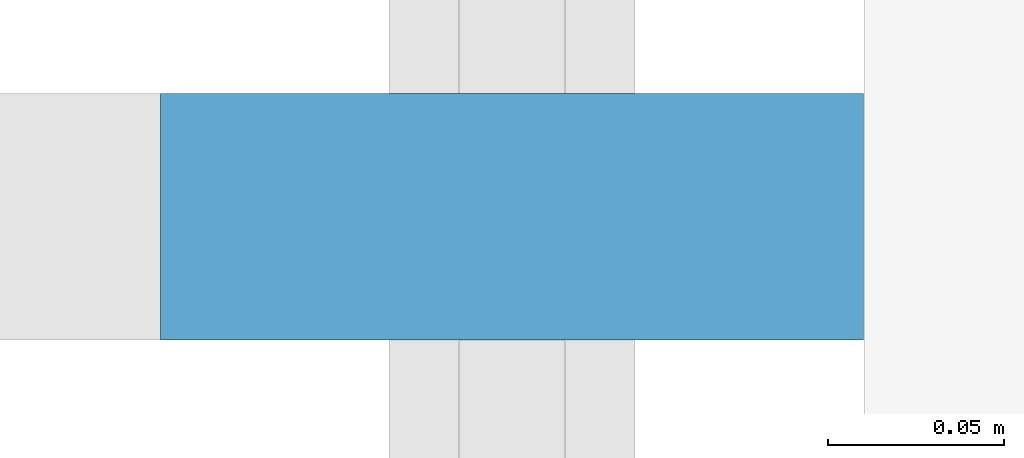
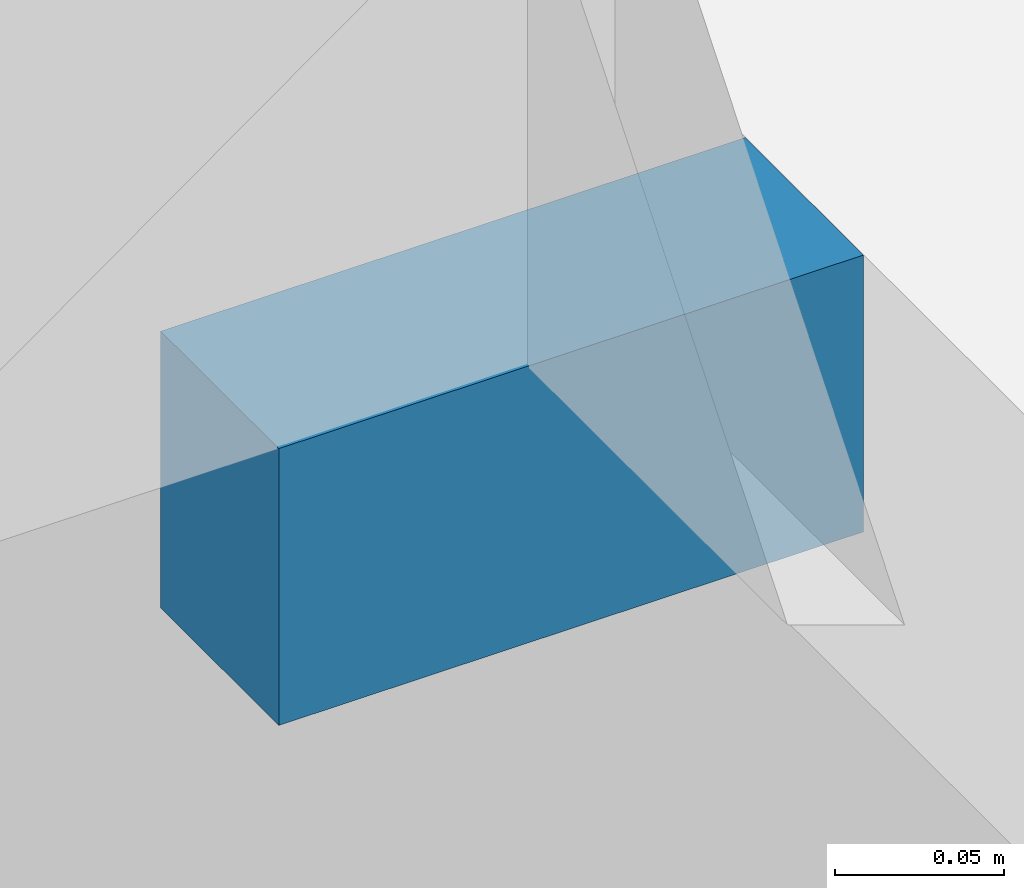
# One storey, part 12 of 16: 1 discrete accessory.
"""IFC4 building model written with IfcOpenShell, lengths in metres."""

from ifc_helpers import new_model, si_unit, direction, frame, origin, origin_2d, place, context, subcontext, project, spatial, rectangle, extrude, element, save


model = new_model("IFC4")

# Units and contexts
model_context = context("Model", 3, precision=1e-05, world=origin(), true_north=direction((0.0, 1.0)))
body_context = subcontext(model_context, "Body", "Model", "MODEL_VIEW")
ifc_project = project(units=[si_unit("LENGTHUNIT", "METRE"), si_unit("AREAUNIT", "SQUARE_METRE"), si_unit("VOLUMEUNIT", "CUBIC_METRE"), si_unit("PLANEANGLEUNIT", "RADIAN"), si_unit("MASSUNIT", "GRAM", prefix="KILO")], contexts=[model_context])

# Site, building, storey
site_placement = place(None, origin())
site = spatial("IfcSite", under=ifc_project, at=site_placement, CompositionType="ELEMENT")
building_placement = place(site_placement, origin())
building = spatial("IfcBuilding", under=site, at=building_placement, Name="Daluyong Arena Tower", CompositionType="ELEMENT")
storey_placement = place(building_placement, frame((0.0, 0.0, 219.10009765625)))
storey = spatial("IfcBuildingStorey", under=building, at=storey_placement, Name="L49", CompositionType="ELEMENT", Elevation=219.10009765625)

# Discrete accessory
discrete_accessory_placement = place(storey_placement, frame((34.25, 87.386474609375, -0.10009765625), z_axis=(0.0, 0.0, 1.0), x_axis=(0.0, -1.0, 0.0)))
element("IfcDiscreteAccessory", 1, at=discrete_accessory_placement, inside=storey, Name="curtain wall L49 W anchor bracket 4", PredefinedType="BRACKET", context=body_context, shape_type="SweptSolid", body=[
    extrude(rectangle(XDim=0.070068359375, YDim=0.199951171875, at=origin_2d()), origin(), (0.0, 0.0, 1.0), 0.10009765625),
])

save(model, "model.ifc")
